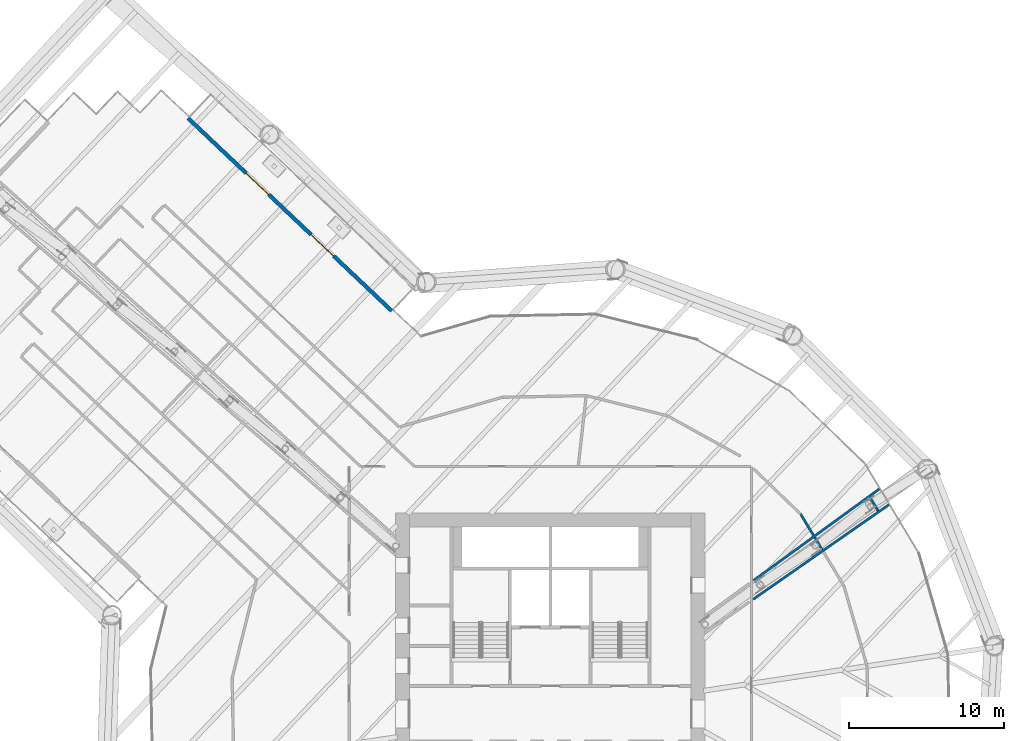
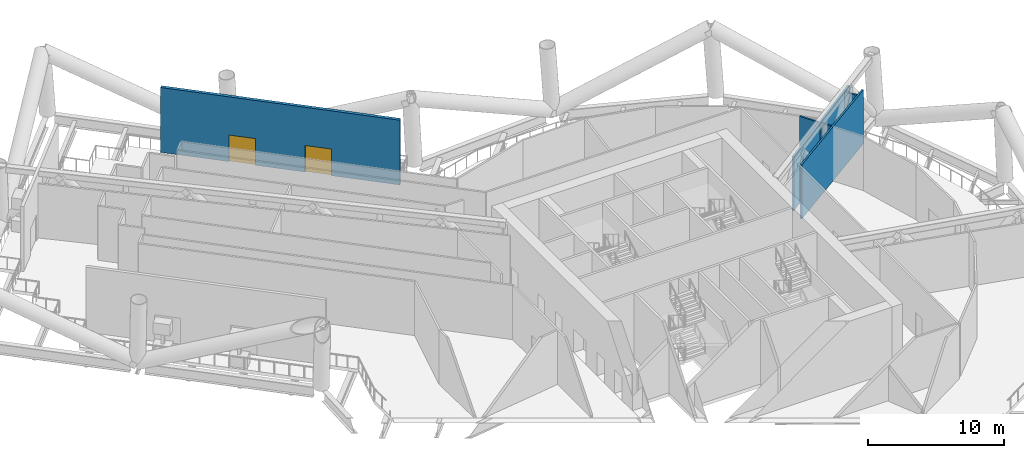
# One storey, part 17 of 39: 6 walls, 2 doors, 2 openings.
"""IFC4 building model written with IfcOpenShell, lengths in metres."""

from ifc_helpers import new_model, si_unit, direction, frame, frame_2d, origin, place, context, subcontext, project, spatial, rectangle, extrude, material, layer, layer_set, type_object, element, fill, save


model = new_model("IFC4")

# Units and contexts
model_context = context("Model", 3, precision=1e-05, world=origin(), true_north=direction((0.0, 1.0)))
body_context = subcontext(model_context, "Body", "Model", "MODEL_VIEW")
ifc_project = project(units=[si_unit("LENGTHUNIT", "METRE"), si_unit("AREAUNIT", "SQUARE_METRE"), si_unit("VOLUMEUNIT", "CUBIC_METRE"), si_unit("PLANEANGLEUNIT", "RADIAN"), si_unit("MASSUNIT", "GRAM", prefix="KILO")], contexts=[model_context])

# Site, building, storey
site_placement = place(None, origin())
site = spatial("IfcSite", under=ifc_project, at=site_placement, CompositionType="ELEMENT")
building_placement = place(site_placement, origin())
building = spatial("IfcBuilding", under=site, at=building_placement, Name="Tarsis Ring Headquarters", CompositionType="ELEMENT")
storey_placement = place(building_placement, frame((0.0, 0.0, 86.800048828125)))
storey = spatial("IfcBuildingStorey", under=building, at=storey_placement, Name="L19", CompositionType="ELEMENT", Elevation=86.800048828125)

# Walls
ifc_material_1 = material(Name="Gypsum board on steel studs", Category="steel")
ifc_layer_1 = layer(ifc_material_1, 0.14990234375)
ifc_layer_set_1 = layer_set([ifc_layer_1], Name="FL partition 150 EI 120 H4870")
wall_type_1 = type_object("IfcWallType", Name="FL partition 150 EI 120 H4870", PredefinedType="PARTITIONING", material=ifc_layer_set_1)
wall_1_placement = place(storey_placement, frame((13.117919921875, 7.412353515625, 0.0), z_axis=(0.0, 0.0, 1.0), x_axis=(0.82038485469, 0.571811761155, 0.0)))
element("IfcWall", 1, at=wall_1_placement, inside=storey, type_object=wall_type_1, Name="Partition PW2H487", PredefinedType="PARTITIONING", context=body_context, shape_type="SweptSolid", body=[
    extrude(rectangle(XDim=10.68896484375, YDim=0.14990234375, at=frame_2d((5.344482421875, 0.0))), origin(), (0.0, 0.0, 1.0), 4.869873046875),
])
wall_2_placement = place(storey_placement, frame((13.119140625, 8.61279296875, 0.0), z_axis=(0.0, 0.0, 1.0), x_axis=(0.808764357129, 0.588132820576, 0.0)))
element("IfcWall", 2, at=wall_2_placement, inside=storey, type_object=wall_type_1, Name="Partition PW2H487", PredefinedType="PARTITIONING", context=body_context, shape_type="SweptSolid", body=[
    extrude(rectangle(XDim=10.081787109375, YDim=0.14990234375, at=frame_2d((5.041015625, 0.0))), origin(), (0.0, 0.0, 1.0), 4.869873046875),
])
wall_3_placement = place(storey_placement, frame((16.19287109375, 12.904296875, 0.0), z_axis=(0.0, 0.0, 1.0), x_axis=(0.516258679492, -0.856432703631, 0.0)))
element("IfcWall", 3, at=wall_3_placement, inside=storey, type_object=wall_type_1, Name="Partition PW2H487", PredefinedType="PARTITIONING", context=body_context, shape_type="SweptSolid", body=[
    extrude(rectangle(XDim=1.587646484375, YDim=0.14990234375, at=frame_2d((0.7939453125, 0.0))), origin(), (0.0, 0.0, 1.0), 4.869873046875),
])
wall_4_placement = place(storey_placement, frame((17.0966796875, 11.40478515625, 0.0), z_axis=(0.0, 0.0, 1.0), x_axis=(0.516440795395, -0.856322897541, 0.0)))
element("IfcWall", 4, at=wall_4_placement, inside=storey, type_object=wall_type_1, Name="Partition PW2H487", PredefinedType="PARTITIONING", context=body_context, shape_type="SweptSolid", body=[
    extrude(rectangle(XDim=0.92236328125, YDim=0.14990234375, at=frame_2d((0.461181640625, 0.0))), origin(), (0.0, 0.0, 1.0), 4.869873046875),
])
wall_5_placement = place(storey_placement, frame((20.669921875, 14.0, 0.0), z_axis=(0.0, 0.0, 1.0), x_axis=(0.51623216226, -0.856448687691, 0.0)))
element("IfcWall", 5, at=wall_5_placement, inside=storey, type_object=wall_type_1, Name="Partition PW2H487", PredefinedType="PARTITIONING", context=body_context, shape_type="SweptSolid", body=[
    extrude(rectangle(XDim=1.012451171875, YDim=0.14990234375, at=frame_2d((0.50634765625, 0.0))), origin(), (0.0, 0.0, 1.0), 4.869873046875),
])

# Wall, openings, doors
ifc_material_2 = material(Name="Terracotta clad insulated panel wall", Category="masonry")
ifc_layer_2 = layer(ifc_material_2, 0.25)
ifc_layer_set_2 = layer_set([ifc_layer_2], Name="Facade wall terracotta panel 250")
wall_type_2 = type_object("IfcWallType", Name="Facade wall terracotta panel 250", PredefinedType="STANDARD", material=ifc_layer_set_2)
wall_6_placement = place(storey_placement, frame((-10.24951171875, 26.04833984375, 0.0), z_axis=(0.0, 0.0, 1.0), x_axis=(-0.72632757321, 0.687348715278, 0.0)))
wall_6 = element("IfcWall", 6, at=wall_6_placement, inside=storey, type_object=wall_type_2, Name="External wall L19-05", PredefinedType="STANDARD", context=body_context, shape_type="SweptSolid", body=[
    extrude(rectangle(XDim=18.1513671875, YDim=0.25, at=frame_2d((9.07568359375, 0.0))), origin(), (0.0, 0.0, 1.0), 5.83984375),
])
opening_1_placement = place(wall_6_placement, frame((5.181640625, 0.0, 0.0)))
opening_1 = element("IfcOpeningElement", 7, at=opening_1_placement, cuts=wall_6, Name="Opening L19-BD08", PredefinedType="OPENING", context=body_context, shape_type="SweptSolid", body=[
    extrude(rectangle(XDim=2.0, YDim=2.39990234375, at=frame_2d((1.0, 1.199951171875))), frame((0.0, 0.135009765625, 0.0), z_axis=(0.0, -1.0, 0.0), x_axis=(1.0, 0.0, 0.0)), (0.0, 0.0, 1.0), 0.27001953125),
])
opening_2_placement = place(wall_6_placement, frame((10.969482421875, 0.0, 0.0)))
opening_2 = element("IfcOpeningElement", 8, at=opening_2_placement, cuts=wall_6, Name="Opening L19-BD09", PredefinedType="OPENING", context=body_context, shape_type="SweptSolid", body=[
    extrude(rectangle(XDim=2.0, YDim=2.39990234375, at=frame_2d((1.0, 1.199951171875))), frame((0.0, 0.135009765625, 0.0), z_axis=(0.0, -1.0, 0.0), x_axis=(1.0, 0.0, 0.0)), (0.0, 0.0, 1.0), 0.27001953125),
])
ifc_material_3 = material(Name="Aluminium framed double glazing", Category="aluminium")
door_type = type_object("IfcDoorType", Name="Balcony sliding door 2000 x 2400", OperationType="SLIDING_TO_LEFT", PredefinedType="DOOR", material=ifc_material_3)
door_1_placement = place(opening_1_placement, origin())
door_1 = element("IfcDoor", 9, at=door_1_placement, inside=storey, type_object=door_type, Name="Door L19-BD08", OperationType="SINGLE_SWING_LEFT", OverallHeight=2.39990234375, OverallWidth=2.0, PredefinedType="DOOR", context=body_context, shape_type="SweptSolid", body=[
    extrude(rectangle(XDim=2.0, YDim=2.39990234375, at=frame_2d((1.0, 1.199951171875))), frame((0.0, 0.02490234375, 0.0), z_axis=(0.0, -1.0, 0.0), x_axis=(1.0, 0.0, 0.0)), (0.0, 0.0, 1.0), 0.050048828125),
])
fill(opening_1, door_1)
door_2_placement = place(opening_2_placement, origin())
door_2 = element("IfcDoor", 10, at=door_2_placement, inside=storey, type_object=door_type, Name="Door L19-BD09", OperationType="SINGLE_SWING_LEFT", OverallHeight=2.39990234375, OverallWidth=2.0, PredefinedType="DOOR", context=body_context, shape_type="SweptSolid", body=[
    extrude(rectangle(XDim=2.0, YDim=2.39990234375, at=frame_2d((1.0, 1.199951171875))), frame((0.0, 0.02490234375, 0.0), z_axis=(0.0, -1.0, 0.0), x_axis=(1.0, 0.0, 0.0)), (0.0, 0.0, 1.0), 0.050048828125),
])
fill(opening_2, door_2)

save(model, "model.ifc")
